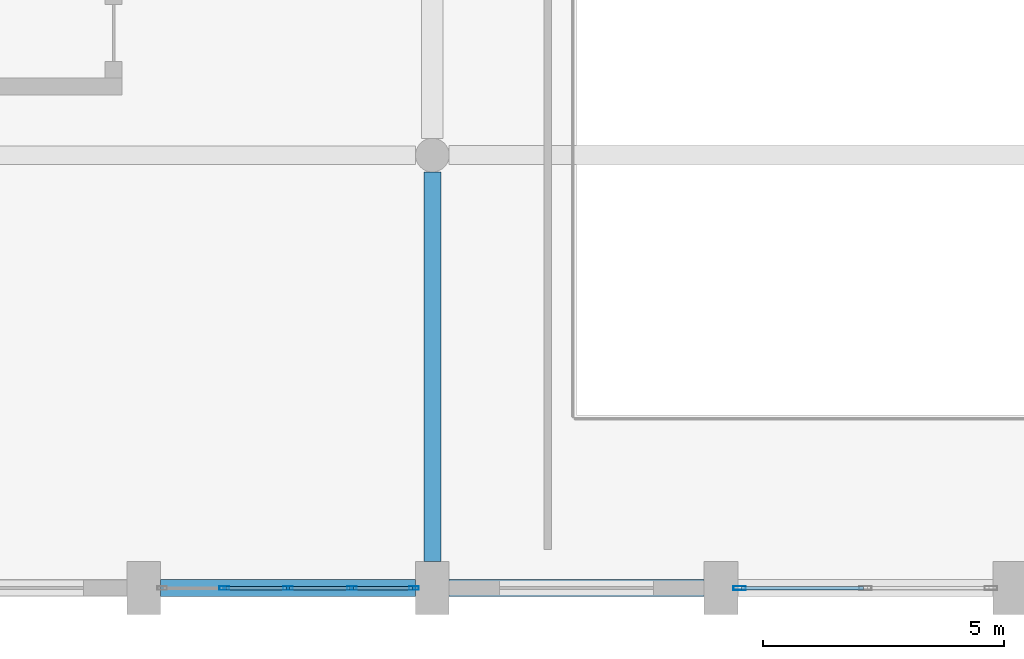
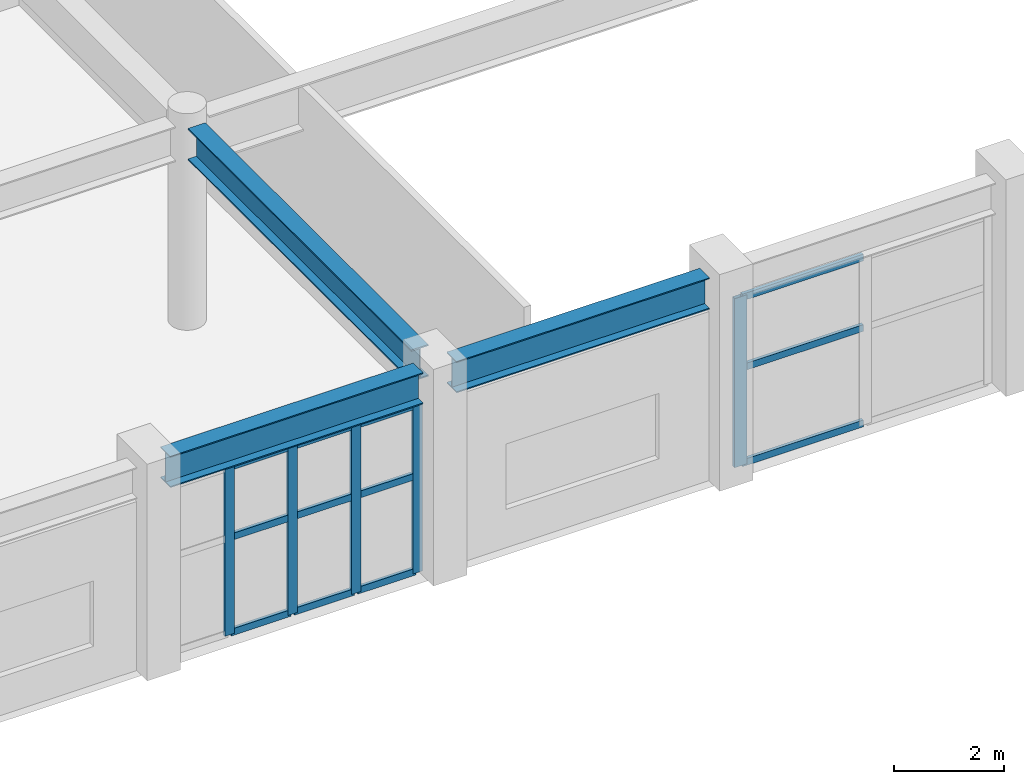
# One storey, part 16 of 85: 17 members, 3 beams, 2 elements without a shape of their own.
"""IFC4 building model written with IfcOpenShell, lengths in metres."""

from ifc_helpers import new_model, si_unit, direction, frame, origin, origin_2d, place, context, subcontext, project, spatial, hollow_rectangle, i_section, extrude, material, layer, layer_set, material_profile, profile_set, type_object, element, aggregate, save


model = new_model("IFC4")

# Units and contexts
model_context = context("Model", 3, precision=1e-05, world=origin(), true_north=direction((0.0, 1.0)))
body_context = subcontext(model_context, "Body", "Model", "MODEL_VIEW")
ifc_project = project(units=[si_unit("LENGTHUNIT", "METRE"), si_unit("AREAUNIT", "SQUARE_METRE"), si_unit("VOLUMEUNIT", "CUBIC_METRE"), si_unit("PLANEANGLEUNIT", "RADIAN"), si_unit("MASSUNIT", "GRAM", prefix="KILO")], contexts=[model_context])

# Site, building, storey
site_placement = place(None, origin())
site = spatial("IfcSite", under=ifc_project, at=site_placement, CompositionType="ELEMENT")
building_placement = place(site_placement, origin())
building = spatial("IfcBuilding", under=site, at=building_placement, Name="Vaelkrest Opera House", CompositionType="ELEMENT")
storey_placement = place(building_placement, frame((0.0, 0.0, 10.199951171875)))
storey = spatial("IfcBuildingStorey", under=building, at=storey_placement, Name="L02", CompositionType="ELEMENT", Elevation=10.199951171875)

# Beam
ifc_material_1 = material(Name="Steel A992 Gr50", Category="steel")
ifc_material_profile_1 = material_profile(ifc_material_1, i_section(OverallWidth=0.35791015625, OverallDepth=0.7060546875, WebThickness=0.018310546875, FlangeThickness=0.0302734375, at=origin_2d()), Name="W27X178")
ifc_profile_set_1 = profile_set([ifc_material_profile_1], Name="Steel A992 Gr50")
beam_type_1 = type_object("IfcBeamType", Name="B14", PredefinedType="BEAM", material=ifc_profile_set_1)
beam_placement = place(storey_placement, frame((-18.0, -55.25, 4.152099609375), z_axis=(0.0, 1.0, 0.0), x_axis=(-1.0, 0.0, 0.0)))
element("IfcBeam", 1, at=beam_placement, inside=storey, type_object=beam_type_1, Name="Beam BM-V1-L02-0378", PredefinedType="BEAM", context=body_context, shape_type="SweptSolid", body=[
    extrude(i_section(OverallWidth=0.35791015625, OverallDepth=0.7060546875, WebThickness=0.018310546875, FlangeThickness=0.0302734375, at=origin_2d()), origin(), (0.0, 0.0, 1.0), 8.10009765625),
])

# Curtain wall, members
ifc_material_2 = material(Name="Dark bronze anodized aluminium", Category="aluminium")
ifc_layer_1 = layer(ifc_material_2, 0.18994140625)
ifc_layer_set_1 = layer_set([ifc_layer_1], Name="Dark bronze anodized aluminium")
curtain_wall_type_1 = type_object("IfcCurtainWallType", Name="CW02", PredefinedType="NOTDEFINED", material=ifc_layer_set_1)
curtain_wall_1_placement = place(storey_placement, origin())
curtain_wall_1 = element("IfcCurtainWall", 2, at=curtain_wall_1_placement, inside=storey, type_object=curtain_wall_type_1, Name="Curtain wall CW-L02-035", PredefinedType="NOTDEFINED")
ifc_material_profile_2 = material_profile(ifc_material_2, hollow_rectangle(XDim=0.070068359375, YDim=0.199951171875, WallThickness=0.004150390625, at=origin_2d()), Name="CWM70X200")
ifc_profile_set_2 = profile_set([ifc_material_profile_2], Name="Dark bronze anodized aluminium")
member_type_1 = type_object("IfcMemberType", Name="CWM02", PredefinedType="MULLION", material=ifc_profile_set_2)
member_1_placement = place(storey_placement, frame((-18.383056640625, -55.800048828125, 0.0), z_axis=(0.0, 0.0, 1.0), x_axis=(0.0, -1.0, 0.0)))
member_1 = element("IfcMember", 3, at=member_1_placement, type_object=member_type_1, Name="CW02 mullion 1", PredefinedType="MULLION", context=body_context, shape_type="SweptSolid", body=[
    extrude(hollow_rectangle(XDim=0.070068359375, YDim=0.199951171875, WallThickness=0.004150390625, at=origin_2d()), origin(), (0.0, 0.0, 1.0), 3.7451171875),
])
member_2_placement = place(storey_placement, frame((-19.674072265625, -55.800048828125, 0.0), z_axis=(0.0, 0.0, 1.0), x_axis=(0.0, -1.0, 0.0)))
member_2 = element("IfcMember", 4, at=member_2_placement, type_object=member_type_1, Name="CW02 mullion 2", PredefinedType="MULLION", context=body_context, shape_type="SweptSolid", body=[
    extrude(hollow_rectangle(XDim=0.070068359375, YDim=0.199951171875, WallThickness=0.004150390625, at=origin_2d()), origin(), (0.0, 0.0, 1.0), 3.7451171875),
])
member_3_placement = place(storey_placement, frame((-21.0, -55.800048828125, 0.0), z_axis=(0.0, 0.0, 1.0), x_axis=(0.0, -1.0, 0.0)))
member_3 = element("IfcMember", 5, at=member_3_placement, type_object=member_type_1, Name="CW02 mullion 3", PredefinedType="MULLION", context=body_context, shape_type="SweptSolid", body=[
    extrude(hollow_rectangle(XDim=0.070068359375, YDim=0.199951171875, WallThickness=0.004150390625, at=origin_2d()), origin(), (0.0, 0.0, 1.0), 3.7451171875),
])
member_4_placement = place(storey_placement, frame((-22.325927734375, -55.800048828125, 0.0), z_axis=(0.0, 0.0, 1.0), x_axis=(0.0, -1.0, 0.0)))
member_4 = element("IfcMember", 6, at=member_4_placement, type_object=member_type_1, Name="CW02 mullion 4", PredefinedType="MULLION", context=body_context, shape_type="SweptSolid", body=[
    extrude(hollow_rectangle(XDim=0.070068359375, YDim=0.199951171875, WallThickness=0.004150390625, at=origin_2d()), origin(), (0.0, 0.0, 1.0), 3.7451171875),
])

ifc_layer_2 = layer(ifc_material_2, 0.25)
ifc_layer_set_2 = layer_set([ifc_layer_2], Name="Dark bronze anodized aluminium")
curtain_wall_type_2 = type_object("IfcCurtainWallType", Name="CW08", PredefinedType="NOTDEFINED", material=ifc_layer_set_2)
curtain_wall_2_placement = place(storey_placement, origin())
curtain_wall_2 = element("IfcCurtainWall", 7, at=curtain_wall_2_placement, inside=storey, type_object=curtain_wall_type_2, Name="Curtain wall CW-L02-034", PredefinedType="NOTDEFINED")
ifc_material_profile_3 = material_profile(ifc_material_2, hollow_rectangle(XDim=0.080078125, YDim=0.260009765625, WallThickness=0.0048828125, at=origin_2d()), Name="CWM80X260")
ifc_profile_set_3 = profile_set([ifc_material_profile_3], Name="Dark bronze anodized aluminium")
member_type_2 = type_object("IfcMemberType", Name="CWM04", PredefinedType="MULLION", material=ifc_profile_set_3)
member_5_placement = place(storey_placement, frame((-11.612060546875, -55.800048828125, 0.0), z_axis=(0.0, 0.0, 1.0), x_axis=(0.0, -1.0, 0.0)))
member_5 = element("IfcMember", 8, at=member_5_placement, type_object=member_type_2, Name="CW08 mullion 3", PredefinedType="MULLION", context=body_context, shape_type="SweptSolid", body=[
    extrude(hollow_rectangle(XDim=0.080078125, YDim=0.260009765625, WallThickness=0.0048828125, at=origin_2d()), origin(), (0.0, 0.0, 1.0), 3.7451171875),
])
ifc_material_profile_4 = material_profile(ifc_material_2, hollow_rectangle(XDim=0.070068359375, YDim=0.14990234375, WallThickness=0.004150390625, at=origin_2d()), Name="CWT70X150")
ifc_profile_set_4 = profile_set([ifc_material_profile_4], Name="Dark bronze anodized aluminium")
member_type_3 = type_object("IfcMemberType", Name="CWT02", PredefinedType="USERDEFINED", material=ifc_profile_set_4)
member_6_placement = place(storey_placement, frame((-9.0400390625, -55.800048828125, 0.03515625), z_axis=(-1.0, 0.0, 0.0), x_axis=(0.0, -1.0, 0.0)))
member_6 = element("IfcMember", 9, at=member_6_placement, type_object=member_type_3, Name="CW08 transom 2.1", ObjectType="TRANSOM", PredefinedType="USERDEFINED", context=body_context, shape_type="SweptSolid", body=[
    extrude(hollow_rectangle(XDim=0.070068359375, YDim=0.14990234375, WallThickness=0.004150390625, at=origin_2d()), origin(), (0.0, 0.0, 1.0), 2.531982421875),
])
member_7_placement = place(storey_placement, frame((-9.0400390625, -55.800048828125, 2.150146484375), z_axis=(-1.0, 0.0, 0.0), x_axis=(0.0, -1.0, 0.0)))
member_7 = element("IfcMember", 10, at=member_7_placement, type_object=member_type_3, Name="CW08 transom 2.2", ObjectType="TRANSOM", PredefinedType="USERDEFINED", context=body_context, shape_type="SweptSolid", body=[
    extrude(hollow_rectangle(XDim=0.070068359375, YDim=0.14990234375, WallThickness=0.004150390625, at=origin_2d()), origin(), (0.0, 0.0, 1.0), 2.531982421875),
])
member_8_placement = place(storey_placement, frame((-9.0400390625, -55.800048828125, 3.7099609375), z_axis=(-1.0, 0.0, 0.0), x_axis=(0.0, -1.0, 0.0)))
member_8 = element("IfcMember", 11, at=member_8_placement, type_object=member_type_3, Name="CW08 transom 2.3", ObjectType="TRANSOM", PredefinedType="USERDEFINED", context=body_context, shape_type="SweptSolid", body=[
    extrude(hollow_rectangle(XDim=0.070068359375, YDim=0.14990234375, WallThickness=0.004150390625, at=origin_2d()), origin(), (0.0, 0.0, 1.0), 2.531982421875),
])
aggregate(curtain_wall_2, [member_5, member_6, member_7, member_8])

# Member
member_9_placement = place(storey_placement, frame((-18.41796875, -55.800048828125, 0.03515625), z_axis=(-1.0, 0.0, 0.0), x_axis=(0.0, -1.0, 0.0)))
member_9 = element("IfcMember", 12, at=member_9_placement, type_object=member_type_3, Name="CW02 transom 1.1", ObjectType="TRANSOM", PredefinedType="USERDEFINED", context=body_context, shape_type="SweptSolid", body=[
    extrude(hollow_rectangle(XDim=0.070068359375, YDim=0.14990234375, WallThickness=0.004150390625, at=origin_2d()), origin(), (0.0, 0.0, 1.0), 1.220947265625),
])

member_10_placement = place(storey_placement, frame((-18.41796875, -55.800048828125, 2.150146484375), z_axis=(-1.0, 0.0, 0.0), x_axis=(0.0, -1.0, 0.0)))
member_10 = element("IfcMember", 13, at=member_10_placement, type_object=member_type_3, Name="CW02 transom 1.2", ObjectType="TRANSOM", PredefinedType="USERDEFINED", context=body_context, shape_type="SweptSolid", body=[
    extrude(hollow_rectangle(XDim=0.070068359375, YDim=0.14990234375, WallThickness=0.004150390625, at=origin_2d()), origin(), (0.0, 0.0, 1.0), 1.220947265625),
])

member_11_placement = place(storey_placement, frame((-18.41796875, -55.800048828125, 3.7099609375), z_axis=(-1.0, 0.0, 0.0), x_axis=(0.0, -1.0, 0.0)))
member_11 = element("IfcMember", 14, at=member_11_placement, type_object=member_type_3, Name="CW02 transom 1.3", ObjectType="TRANSOM", PredefinedType="USERDEFINED", context=body_context, shape_type="SweptSolid", body=[
    extrude(hollow_rectangle(XDim=0.070068359375, YDim=0.14990234375, WallThickness=0.004150390625, at=origin_2d()), origin(), (0.0, 0.0, 1.0), 1.220947265625),
])

member_12_placement = place(storey_placement, frame((-19.708984375, -55.800048828125, 0.03515625), z_axis=(-1.0, 0.0, 0.0), x_axis=(0.0, -1.0, 0.0)))
member_12 = element("IfcMember", 15, at=member_12_placement, type_object=member_type_3, Name="CW02 transom 2.1", ObjectType="TRANSOM", PredefinedType="USERDEFINED", context=body_context, shape_type="SweptSolid", body=[
    extrude(hollow_rectangle(XDim=0.070068359375, YDim=0.14990234375, WallThickness=0.004150390625, at=origin_2d()), origin(), (0.0, 0.0, 1.0), 1.256103515625),
])

member_13_placement = place(storey_placement, frame((-19.708984375, -55.800048828125, 2.150146484375), z_axis=(-1.0, 0.0, 0.0), x_axis=(0.0, -1.0, 0.0)))
member_13 = element("IfcMember", 16, at=member_13_placement, type_object=member_type_3, Name="CW02 transom 2.2", ObjectType="TRANSOM", PredefinedType="USERDEFINED", context=body_context, shape_type="SweptSolid", body=[
    extrude(hollow_rectangle(XDim=0.070068359375, YDim=0.14990234375, WallThickness=0.004150390625, at=origin_2d()), origin(), (0.0, 0.0, 1.0), 1.256103515625),
])

member_14_placement = place(storey_placement, frame((-19.708984375, -55.800048828125, 3.7099609375), z_axis=(-1.0, 0.0, 0.0), x_axis=(0.0, -1.0, 0.0)))
member_14 = element("IfcMember", 17, at=member_14_placement, type_object=member_type_3, Name="CW02 transom 2.3", ObjectType="TRANSOM", PredefinedType="USERDEFINED", context=body_context, shape_type="SweptSolid", body=[
    extrude(hollow_rectangle(XDim=0.070068359375, YDim=0.14990234375, WallThickness=0.004150390625, at=origin_2d()), origin(), (0.0, 0.0, 1.0), 1.256103515625),
])

member_15_placement = place(storey_placement, frame((-21.034912109375, -55.800048828125, 0.03515625), z_axis=(-1.0, 0.0, 0.0), x_axis=(0.0, -1.0, 0.0)))
member_15 = element("IfcMember", 18, at=member_15_placement, type_object=member_type_3, Name="CW02 transom 3.1", ObjectType="TRANSOM", PredefinedType="USERDEFINED", context=body_context, shape_type="SweptSolid", body=[
    extrude(hollow_rectangle(XDim=0.070068359375, YDim=0.14990234375, WallThickness=0.004150390625, at=origin_2d()), origin(), (0.0, 0.0, 1.0), 1.256103515625),
])

member_16_placement = place(storey_placement, frame((-21.034912109375, -55.800048828125, 2.150146484375), z_axis=(-1.0, 0.0, 0.0), x_axis=(0.0, -1.0, 0.0)))
member_16 = element("IfcMember", 19, at=member_16_placement, type_object=member_type_3, Name="CW02 transom 3.2", ObjectType="TRANSOM", PredefinedType="USERDEFINED", context=body_context, shape_type="SweptSolid", body=[
    extrude(hollow_rectangle(XDim=0.070068359375, YDim=0.14990234375, WallThickness=0.004150390625, at=origin_2d()), origin(), (0.0, 0.0, 1.0), 1.256103515625),
])

member_17_placement = place(storey_placement, frame((-21.034912109375, -55.800048828125, 3.7099609375), z_axis=(-1.0, 0.0, 0.0), x_axis=(0.0, -1.0, 0.0)))
member_17 = element("IfcMember", 20, at=member_17_placement, type_object=member_type_3, Name="CW02 transom 3.3", ObjectType="TRANSOM", PredefinedType="USERDEFINED", context=body_context, shape_type="SweptSolid", body=[
    extrude(hollow_rectangle(XDim=0.070068359375, YDim=0.14990234375, WallThickness=0.004150390625, at=origin_2d()), origin(), (0.0, 0.0, 1.0), 1.256103515625),
])

aggregate(curtain_wall_1, [member_1, member_2, member_3, member_4, member_9, member_10, member_11, member_12, member_13, member_14, member_15, member_16, member_17])

# Beams
ifc_material_profile_5 = material_profile(ifc_material_1, i_section(OverallWidth=0.35498046875, OverallDepth=0.695068359375, WebThickness=0.015380859375, FlangeThickness=0.02490234375, at=origin_2d()), Name="W27X146")
ifc_profile_set_5 = profile_set([ifc_material_profile_5], Name="Steel A992 Gr50")
beam_type_2 = type_object("IfcBeamType", Name="SP02", PredefinedType="SPANDREL", material=ifc_profile_set_5)
for number, where, z_axis, x_axis, name in (
    (21, (-23.64990234375, -55.800048828125, 4.157470703125), (1.0, 0.0, 0.0), (0.0, 1.0, 0.0), "Beam BM-V1-L02-0314"),
    (22, (-17.64990234375, -55.800048828125, 4.157470703125), (1.0, 0.0, 0.0), (0.0, 1.0, 0.0), "Beam BM-V1-L02-0315"),
):
    element("IfcBeam", number, at=place(storey_placement, frame(where, z_axis=z_axis, x_axis=x_axis)), inside=storey, type_object=beam_type_2, Name=name, PredefinedType="SPANDREL", context=body_context, shape_type="SweptSolid", body=[
        extrude(i_section(OverallWidth=0.35498046875, OverallDepth=0.695068359375, WebThickness=0.015380859375, FlangeThickness=0.02490234375, at=origin_2d()), origin(), (0.0, 0.0, 1.0), 5.2998046875),
    ])

save(model, "model.ifc")
